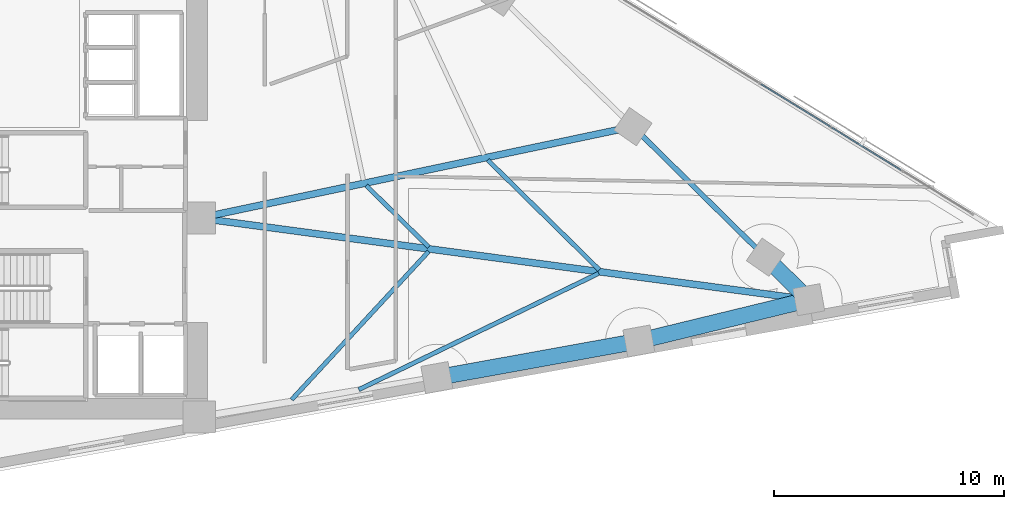
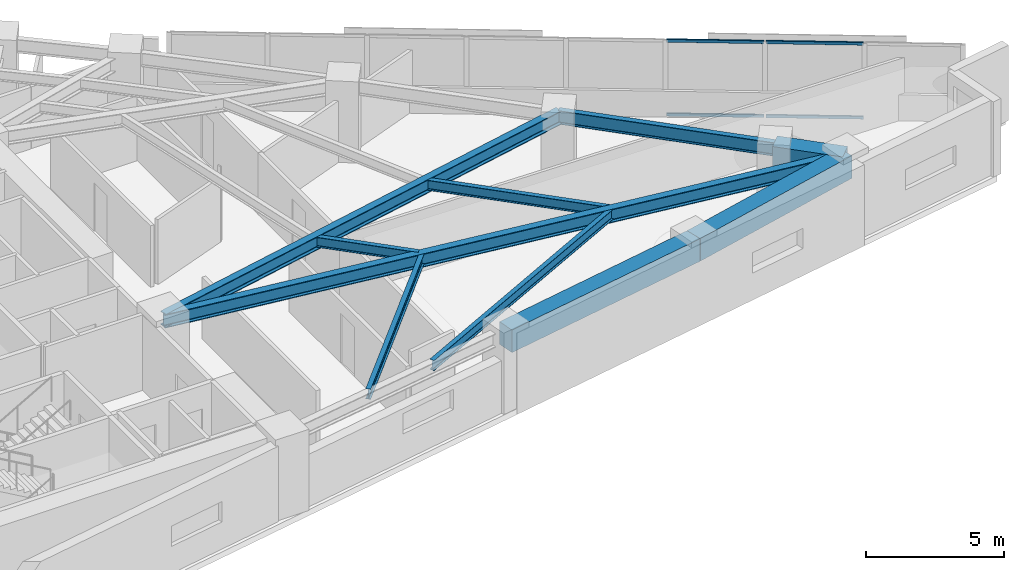
# One storey, part 3 of 18: 10 beams, 4 members, 1 element without a shape of its own.
"""IFC4 building model written with IfcOpenShell, lengths in metres."""

from ifc_helpers import new_model, si_unit, direction, frame, origin, origin_2d, place, context, subcontext, project, spatial, rectangle, hollow_rectangle, i_section, extrude, material, material_profile, profile_set, type_object, element, aggregate, save


model = new_model("IFC4")

# Units and contexts
model_context = context("Model", 3, precision=1e-05, world=origin(), true_north=direction((0.0, 1.0)))
body_context = subcontext(model_context, "Body", "Model", "MODEL_VIEW")
ifc_project = project(units=[si_unit("LENGTHUNIT", "METRE"), si_unit("AREAUNIT", "SQUARE_METRE"), si_unit("VOLUMEUNIT", "CUBIC_METRE"), si_unit("PLANEANGLEUNIT", "RADIAN"), si_unit("MASSUNIT", "GRAM", prefix="KILO")], contexts=[model_context])

# Site, building, storey
site_placement = place(None, origin())
site = spatial("IfcSite", under=ifc_project, at=site_placement, CompositionType="ELEMENT")
building_placement = place(site_placement, origin())
building = spatial("IfcBuilding", under=site, at=building_placement, Name="Narakoshi Arena Tower", CompositionType="ELEMENT")
storey_placement = place(building_placement, frame((0.0, 0.0, 106.5)))
storey = spatial("IfcBuildingStorey", under=building, at=storey_placement, Name="L28", CompositionType="ELEMENT", Elevation=106.5)

# Beams
ifc_material_1 = material(Name="Concrete C60/75", Category="concrete")
ifc_material_profile_1 = material_profile(ifc_material_1, rectangle(XDim=0.699951171875, YDim=1.0, at=origin_2d()), Name="RCB700x1000")
ifc_profile_set_1 = profile_set([ifc_material_profile_1], Name="Concrete C60/75")
beam_type_1 = type_object("IfcBeamType", Name="BM-CPL-1000", PredefinedType="BEAM", material=ifc_profile_set_1)
beam_1_placement = place(storey_placement, frame((95.89013671875, 36.411865234375, 2.840087890625), z_axis=(0.984043032412, 0.177930633565, 0.0), x_axis=(-0.177930633565, 0.984043032412, 0.0)))
element("IfcBeam", 1, at=beam_1_placement, inside=storey, type_object=beam_type_1, Name="L28 Perimeter Edge Girder 01", PredefinedType="BEAM", context=body_context, shape_type="SweptSolid", body=[
    extrude(rectangle(XDim=0.699951171875, YDim=1.0, at=origin_2d()), origin(), (0.0, 0.0, 1.0), 8.933837890625),
])
beam_2_placement = place(storey_placement, frame((104.681396484375, 38.00146484375, 2.840087890625), z_axis=(0.971695296423, 0.236237700019, 0.0), x_axis=(-0.236237700019, 0.971695296423, 0.0)))
element("IfcBeam", 2, at=beam_2_placement, inside=storey, type_object=beam_type_1, Name="L28 Perimeter Edge Girder 02", PredefinedType="BEAM", context=body_context, shape_type="SweptSolid", body=[
    extrude(rectangle(XDim=0.699951171875, YDim=1.0, at=origin_2d()), origin(), (0.0, 0.0, 1.0), 7.604248046875),
])
beam_3_placement = place(storey_placement, frame((112.0703125, 39.7978515625, 2.840087890625), z_axis=(-0.712541924106, 0.70162953643, 0.0), x_axis=(-0.70162953643, -0.712541924106, 0.0)))
element("IfcBeam", 3, at=beam_3_placement, inside=storey, type_object=beam_type_1, Name="L28 Perimeter Edge Girder 03", PredefinedType="BEAM", context=body_context, shape_type="SweptSolid", body=[
    extrude(rectangle(XDim=0.699951171875, YDim=1.0, at=origin_2d()), origin(), (0.0, 0.0, 1.0), 2.639892578125),
])
ifc_material_2 = material(Name="Structural steel S355J2", Category="steel")
ifc_material_profile_2 = material_profile(ifc_material_2, i_section(OverallWidth=0.219970703125, OverallDepth=0.60009765625, WebThickness=0.011962890625, FlangeThickness=0.01904296875, FilletRadius=0.02392578125, at=origin_2d()), Name="IPE600")
ifc_profile_set_2 = profile_set([ifc_material_profile_2], Name="Structural steel S355J2")
beam_type_2 = type_object("IfcBeamType", Name="BM-EDGE-600", PredefinedType="BEAM", material=ifc_profile_set_2)
beam_4_placement = place(storey_placement, frame((110.189208984375, 41.650146484375, 3.0400390625), z_axis=(-0.712543857268, 0.701627573196, 0.0), x_axis=(-0.701627573196, -0.712543857268, 0.0)))
element("IfcBeam", 4, at=beam_4_placement, inside=storey, type_object=beam_type_2, Name="L28 Perimeter Edge Girder 04", PredefinedType="BEAM", context=body_context, shape_type="SweptSolid", body=[
    extrude(i_section(OverallWidth=0.219970703125, OverallDepth=0.60009765625, WebThickness=0.011962890625, FlangeThickness=0.01904296875, FilletRadius=0.02392578125, at=origin_2d()), origin(), (0.0, 0.0, 1.0), 8.095947265625),
])
ifc_material_profile_3 = material_profile(ifc_material_2, i_section(OverallWidth=0.300048828125, OverallDepth=0.60009765625, WebThickness=0.015380859375, FlangeThickness=0.030029296875, FilletRadius=0.027099609375, at=origin_2d()), Name="HE600B")
ifc_profile_set_3 = profile_set([ifc_material_profile_3], Name="Structural steel S355J2")
beam_type_3 = type_object("IfcBeamType", Name="BM-PRI-600", PredefinedType="BEAM", material=ifc_profile_set_3)
beam_5_placement = place(storey_placement, frame((85.550048828125, 43.35009765625, 3.0400390625), z_axis=(0.991148352242, -0.132758968996, 0.0), x_axis=(0.132758968996, 0.991148352242, 0.0)))
element("IfcBeam", 5, at=beam_5_placement, inside=storey, type_object=beam_type_3, Name="L28 Radial Primary Floor Girder 03", PredefinedType="BEAM", context=body_context, shape_type="SweptSolid", body=[
    extrude(i_section(OverallWidth=0.300048828125, OverallDepth=0.60009765625, WebThickness=0.015380859375, FlangeThickness=0.030029296875, FilletRadius=0.027099609375, at=origin_2d()), origin(), (0.0, 0.0, 1.0), 26.757080078125),
])
beam_6_placement = place(storey_placement, frame((85.550048828125, 43.35009765625, 3.0400390625), z_axis=(0.978468582694, 0.206395815562, 0.0), x_axis=(-0.206395815562, 0.978468582694, 0.0)))
element("IfcBeam", 6, at=beam_6_placement, inside=storey, type_object=beam_type_3, Name="L28 Radial Primary Floor Girder 05", PredefinedType="BEAM", context=body_context, shape_type="SweptSolid", body=[
    extrude(i_section(OverallWidth=0.300048828125, OverallDepth=0.60009765625, WebThickness=0.015380859375, FlangeThickness=0.030029296875, FilletRadius=0.027099609375, at=origin_2d()), origin(), (0.0, 0.0, 1.0), 19.28564453125),
])
ifc_material_profile_4 = material_profile(ifc_material_2, i_section(OverallWidth=0.18994140625, OverallDepth=0.449951171875, WebThickness=0.009521484375, FlangeThickness=0.0146484375, FilletRadius=0.02099609375, at=origin_2d()), Name="IPE450")
ifc_profile_set_4 = profile_set([ifc_material_profile_4], Name="Structural steel S355J2")
beam_type_4 = type_object("IfcBeamType", Name="BM-SEC-450", PredefinedType="JOIST", material=ifc_profile_set_4)
beam_7_placement = place(storey_placement, frame((89.57080078125, 35.44970703125, 3.114990234375), z_axis=(0.678905336319, 0.734225812893, 0.0), x_axis=(-0.734225812893, 0.678905336319, 0.0)))
element("IfcBeam", 7, at=beam_7_placement, inside=storey, type_object=beam_type_4, Name="L28 Composite Secondary Floor Joist 01", PredefinedType="JOIST", context=body_context, shape_type="SweptSolid", body=[
    extrude(i_section(OverallWidth=0.18994140625, OverallDepth=0.449951171875, WebThickness=0.009521484375, FlangeThickness=0.0146484375, FilletRadius=0.02099609375, at=origin_2d()), origin(), (0.0, 0.0, 1.0), 8.78662109375),
])
beam_8_placement = place(storey_placement, frame((92.495849609375, 35.888671875, 3.114990234375), z_axis=(0.899874702282, 0.436148507039, 0.0), x_axis=(-0.436148507039, 0.899874702282, 0.0)))
element("IfcBeam", 8, at=beam_8_placement, inside=storey, type_object=beam_type_4, Name="L28 Composite Secondary Floor Joist 02", PredefinedType="JOIST", context=body_context, shape_type="SweptSolid", body=[
    extrude(i_section(OverallWidth=0.18994140625, OverallDepth=0.449951171875, WebThickness=0.009521484375, FlangeThickness=0.0146484375, FilletRadius=0.02099609375, at=origin_2d()), origin(), (0.0, 0.0, 1.0), 11.59716796875),
])
beam_9_placement = place(storey_placement, frame((95.531494140625, 42.094970703125, 3.114990234375), z_axis=(-0.712564847826, 0.701606255419, 0.0), x_axis=(-0.701606255419, -0.712564847826, 0.0)))
element("IfcBeam", 9, at=beam_9_placement, inside=storey, type_object=beam_type_4, Name="L28 Composite Secondary Floor Joist 03", PredefinedType="JOIST", context=body_context, shape_type="SweptSolid", body=[
    extrude(i_section(OverallWidth=0.18994140625, OverallDepth=0.449951171875, WebThickness=0.009521484375, FlangeThickness=0.0146484375, FilletRadius=0.02099609375, at=origin_2d()), origin(), (0.0, 0.0, 1.0), 3.8095703125),
])
beam_10_placement = place(storey_placement, frame((102.957275390625, 41.100341796875, 3.114990234375), z_axis=(-0.712565992933, 0.701605092424, 0.0), x_axis=(-0.701605092424, -0.712565992933, 0.0)))
element("IfcBeam", 10, at=beam_10_placement, inside=storey, type_object=beam_type_4, Name="L28 Composite Secondary Floor Joist 04", PredefinedType="JOIST", context=body_context, shape_type="SweptSolid", body=[
    extrude(i_section(OverallWidth=0.18994140625, OverallDepth=0.449951171875, WebThickness=0.009521484375, FlangeThickness=0.0146484375, FilletRadius=0.02099609375, at=origin_2d()), origin(), (0.0, 0.0, 1.0), 6.815673828125),
])

# Curtain wall, members
ifc_material_3 = material(Name="Anodised bronze aluminium 6063-T6", Category="aluminium")
curtain_wall_type = type_object("IfcCurtainWallType", Name="CW-HYP-LOW", PredefinedType="NOTDEFINED", material=ifc_material_3)
curtain_wall_placement = place(storey_placement, origin())
curtain_wall = element("IfcCurtainWall", 11, at=curtain_wall_placement, inside=storey, type_object=curtain_wall_type, Name="L28 Folded Hypotenuse Curtain Wall 1-1", PredefinedType="NOTDEFINED")
ifc_material_profile_5 = material_profile(ifc_material_3, hollow_rectangle(XDim=0.06494140625, YDim=0.1298828125, WallThickness=0.00390625, OuterFilletRadius=0.0048828125, at=origin_2d()), Name="TRN130x65x4")
ifc_profile_set_5 = profile_set([ifc_material_profile_5], Name="Anodised bronze aluminium 6063-T6")
member_type = type_object("IfcMemberType", Name="MEM-TRN-130", PredefinedType="USERDEFINED", material=ifc_profile_set_5)
member_1_placement = place(storey_placement, frame((116.085693359375, 45.4384765625, 0.032470703125), z_axis=(-0.852103699909, 0.523372988032, 0.0), x_axis=(-0.523372988032, -0.852103699909, 0.0)))
member_1 = element("IfcMember", 12, at=member_1_placement, type_object=member_type, Name="CW-01 transom 2.1", ObjectType="TRANSOM", PredefinedType="USERDEFINED", context=body_context, shape_type="SweptSolid", body=[
    extrude(hollow_rectangle(XDim=0.06494140625, YDim=0.1298828125, WallThickness=0.00390625, OuterFilletRadius=0.0048828125, at=origin_2d()), origin(), (0.0, 0.0, 1.0), 3.535888671875),
])
member_2_placement = place(storey_placement, frame((116.085693359375, 45.4384765625, 3.3076171875), z_axis=(-0.852103699909, 0.523372988032, 0.0), x_axis=(-0.523372988032, -0.852103699909, 0.0)))
member_2 = element("IfcMember", 13, at=member_2_placement, type_object=member_type, Name="CW-01 transom 2.2", ObjectType="TRANSOM", PredefinedType="USERDEFINED", context=body_context, shape_type="SweptSolid", body=[
    extrude(hollow_rectangle(XDim=0.06494140625, YDim=0.1298828125, WallThickness=0.00390625, OuterFilletRadius=0.0048828125, at=origin_2d()), origin(), (0.0, 0.0, 1.0), 3.535888671875),
])
member_3_placement = place(storey_placement, frame((113.0087890625, 47.328125, 0.032470703125), z_axis=(-0.852103699909, 0.523372988032, 0.0), x_axis=(-0.523372988032, -0.852103699909, 0.0)))
member_3 = element("IfcMember", 14, at=member_3_placement, type_object=member_type, Name="CW-01 transom 3.1", ObjectType="TRANSOM", PredefinedType="USERDEFINED", context=body_context, shape_type="SweptSolid", body=[
    extrude(hollow_rectangle(XDim=0.06494140625, YDim=0.1298828125, WallThickness=0.00390625, OuterFilletRadius=0.0048828125, at=origin_2d()), origin(), (0.0, 0.0, 1.0), 3.535888671875),
])
member_4_placement = place(storey_placement, frame((113.0087890625, 47.328125, 3.3076171875), z_axis=(-0.852103699909, 0.523372988032, 0.0), x_axis=(-0.523372988032, -0.852103699909, 0.0)))
member_4 = element("IfcMember", 15, at=member_4_placement, type_object=member_type, Name="CW-01 transom 3.2", ObjectType="TRANSOM", PredefinedType="USERDEFINED", context=body_context, shape_type="SweptSolid", body=[
    extrude(hollow_rectangle(XDim=0.06494140625, YDim=0.1298828125, WallThickness=0.00390625, OuterFilletRadius=0.0048828125, at=origin_2d()), origin(), (0.0, 0.0, 1.0), 3.535888671875),
])
aggregate(curtain_wall, [member_1, member_2, member_3, member_4])

save(model, "model.ifc")
